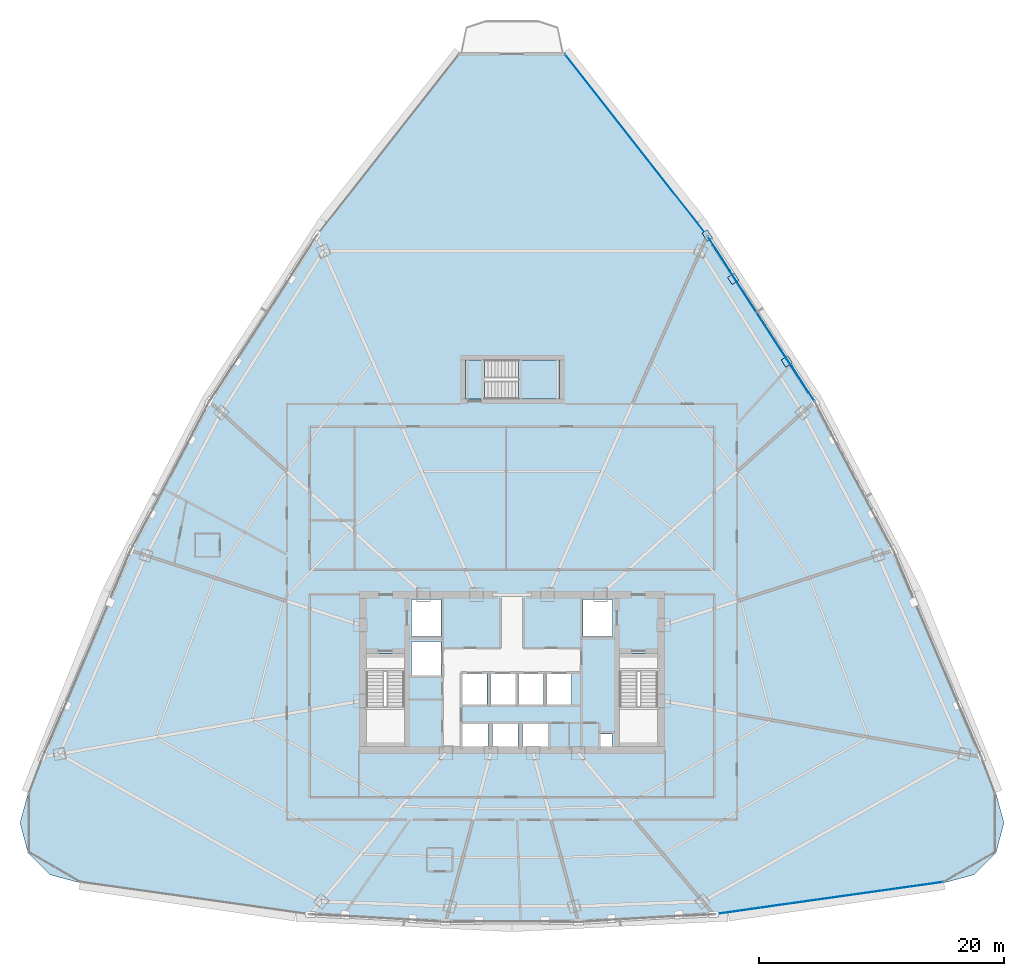
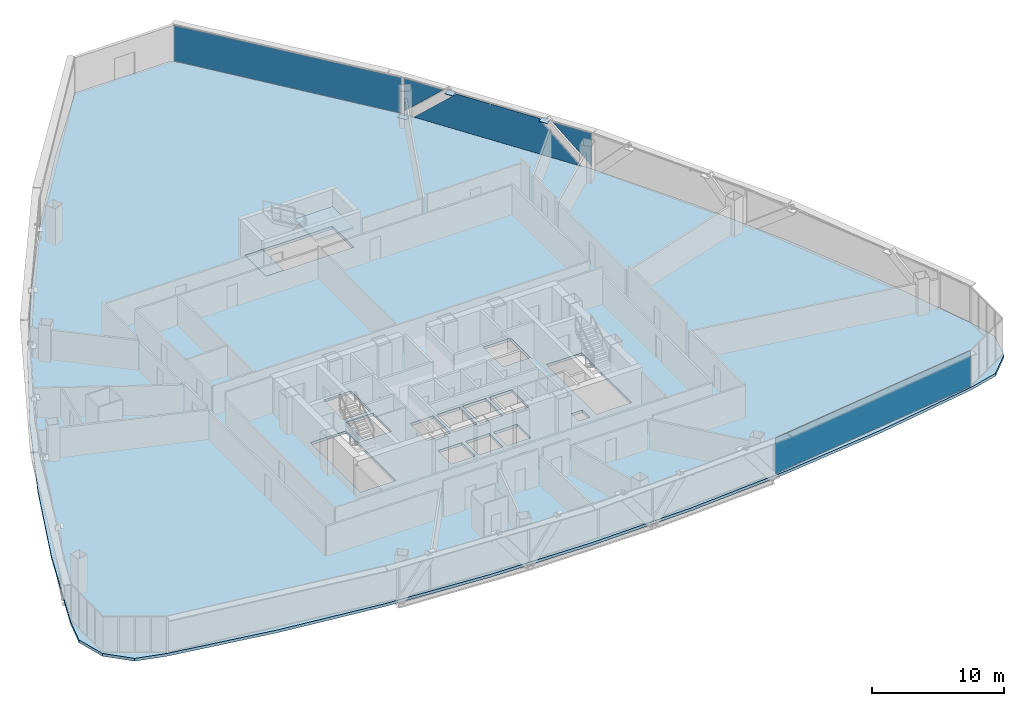
# One storey, part 31 of 40: 8 plates, 3 slabs, 4 elements without a shape of their own.
"""IFC4 building model written with IfcOpenShell, lengths in metres."""

from ifc_helpers import new_model, si_unit, direction, frame, origin, origin_2d, place, context, subcontext, project, spatial, polyline, rectangle, outline, extrude, source, transform, mapped, material, layer, layer_set, type_object, element, aggregate, save


model = new_model("IFC4")

# Units and contexts
model_context = context("Model", 3, precision=1e-05, world=origin(), true_north=direction((0.0, 1.0)))
body_context = subcontext(model_context, "Body", "Model", "MODEL_VIEW")
ifc_project = project(units=[si_unit("LENGTHUNIT", "METRE"), si_unit("AREAUNIT", "SQUARE_METRE"), si_unit("VOLUMEUNIT", "CUBIC_METRE"), si_unit("PLANEANGLEUNIT", "RADIAN"), si_unit("MASSUNIT", "GRAM", prefix="KILO"), si_unit("THERMODYNAMICTEMPERATUREUNIT", "KELVIN"), si_unit("POWERUNIT", "WATT")], contexts=[model_context])

# Site, building, storey
site_placement = place(None, origin())
site = spatial("IfcSite", under=ifc_project, at=site_placement, CompositionType="ELEMENT")
building_placement = place(site_placement, origin())
building = spatial("IfcBuilding", under=site, at=building_placement, Name="Yunzhuo Pagoda Commons", CompositionType="ELEMENT")
storey_placement = place(building_placement, frame((0.0, 0.0, 159.27001953125)))
storey = spatial("IfcBuildingStorey", under=building, at=storey_placement, Name="L40", CompositionType="ELEMENT", Elevation=159.27001953125)

# Curtain wall, plates
ifc_material_1 = material(Name="Anodized aluminium 6063-T6", Category="aluminium")
ifc_layer_1 = layer(ifc_material_1, 0.14990234375)
ifc_layer_set_1 = layer_set([ifc_layer_1], Name="Anodized aluminium 6063-T6")
curtain_wall_type = type_object("IfcCurtainWallType", Name="CW-MID Mid-Zone Ribbon Curtain Wall", PredefinedType="NOTDEFINED", material=ifc_layer_set_1)
curtain_wall_1_placement = place(storey_placement, origin())
curtain_wall_1 = element("IfcCurtainWall", 1, at=curtain_wall_1_placement, inside=storey, type_object=curtain_wall_type, Name="L40 curtain wall CW-L40-F2B4", PredefinedType="NOTDEFINED")
ifc_material_2 = material(Name="Tempered low-e double glazing", Category="glass")
ifc_layer_2 = layer(ifc_material_2, 0.028076171875)
ifc_layer_set_2 = layer_set([ifc_layer_2], Name="Tempered low-e double glazing")
plate_type_1 = type_object("IfcPlateType", Name="CW-MID-P Low-E Double Glazing 28", PredefinedType="CURTAIN_PANEL", material=ifc_layer_set_2)
plate_1_placement = place(storey_placement, frame((71.798828125, 57.44189453125, 1.836669921875), z_axis=(0.839392571637, 0.543525630197, 0.0), x_axis=(-0.543525630197, 0.839392571637, 0.0)))
plate_1 = element("IfcPlate", 2, at=plate_1_placement, type_object=plate_type_1, Name="CW panel 1.1 lite 1", PredefinedType="CURTAIN_PANEL", context=body_context, shape_type="SweptSolid", body=[
    extrude(outline(polyline([(-1.6787109375, -1.5283203125), (1.6787109375, 1.5283203125), (-1.6787109375, 1.5283203125), (-1.6787109375, -1.5283203125)])), origin(), (0.0, 0.0, 1.0), 0.028076171875),
])
plate_2_placement = place(storey_placement, frame((68.324462890625, 62.75244140625, 1.7099609375), z_axis=(0.839392571637, 0.543525630197, 0.0), x_axis=(-0.543525630197, 0.839392571637, 0.0)))
plate_2 = element("IfcPlate", 3, at=plate_2_placement, type_object=plate_type_1, Name="CW panel 1.1 lite 2", PredefinedType="CURTAIN_PANEL", context=body_context, shape_type="SweptSolid", body=[
    extrude(outline(polyline([(-7.17431640625, -1.655029296875), (7.17431640625, -1.655029296875), (3.538330078125, 1.655029296875), (-3.538330078125, 1.655029296875), (-7.17431640625, -1.655029296875)])), origin(), (0.0, 0.0, 1.0), 0.028076171875),
])
plate_3_placement = place(storey_placement, frame((64.900390625, 68.095458984375, 1.836669921875), z_axis=(0.839392571637, 0.543525630197, 0.0), x_axis=(-0.543525630197, 0.839392571637, 0.0)))
plate_3 = element("IfcPlate", 4, at=plate_3_placement, type_object=plate_type_1, Name="CW panel 1.1 lite 3", PredefinedType="CURTAIN_PANEL", context=body_context, shape_type="SweptSolid", body=[
    extrude(outline(polyline([(-1.6787109375, 1.5283203125), (1.6787109375, -1.5283203125), (1.6787109375, 1.5283203125), (-1.6787109375, 1.5283203125)])), origin(), (0.0, 0.0, 1.0), 0.028076171875),
])
aggregate(curtain_wall_1, [plate_1, plate_2, plate_3])

# Stair, slabs
ifc_material_3 = material(Name="Concrete C40", Category="concrete")
stair_type = type_object("IfcStairType", Name="ST-C3 North Tower Smokeproof Stair ST3", PredefinedType="HALF_TURN_STAIR", material=ifc_material_3)
stair_placement = place(storey_placement, origin())
stair = element("IfcStair", 5, at=stair_placement, inside=storey, type_object=stair_type, Name="L40 North tower smokeproof stair ST3", PredefinedType="HALF_TURN_STAIR")
ifc_layer_3 = layer(ifc_material_3, 0.2041015625)
ifc_layer_set_3 = layer_set([ifc_layer_3], Name="Concrete C40")
slab_type_1 = type_object("IfcSlabType", Name="SL-LND5 North Landing Slab 204", PredefinedType="LANDING", material=ifc_layer_set_3)
slab_1_placement = place(storey_placement, frame((0.0, 0.0, 1.639892578125)))
slab_1 = element("IfcSlab", 6, at=slab_1_placement, type_object=slab_type_1, Name="ST3 landing 1", PredefinedType="LANDING", context=body_context, shape_type="SweptSolid", body=[
    extrude(outline(polyline([(48.550048828125, 56.199951171875), (51.89990234375, 56.199951171875), (51.89990234375, 59.39990234375), (48.550048828125, 59.39990234375), (48.550048828125, 56.199951171875)])), origin(), (0.0, 0.0, 1.0), 0.2001953125),
])
slab_2_placement = place(storey_placement, frame((0.0, 0.0, -0.199951171875)))
slab_2 = element("IfcSlab", 7, at=slab_2_placement, type_object=slab_type_1, Name="ST3 floor landing L40", PredefinedType="LANDING", context=body_context, shape_type="SweptSolid", body=[
    extrude(outline(polyline([(44.199951171875, 56.199951171875), (45.75, 56.199951171875), (45.75, 59.39990234375), (44.199951171875, 59.39990234375), (44.199951171875, 56.199951171875)])), origin(), (0.0, 0.0, 1.0), 0.199951171875),
])
aggregate(stair, [slab_1, slab_2])

# Slab
ifc_layer_4 = layer(ifc_material_3, 0.260009765625)
ifc_layer_set_4 = layer_set([ifc_layer_4], Name="Concrete C40")
slab_type_2 = type_object("IfcSlabType", Name="SL-TWR Typical Tower Floor Slab 260", PredefinedType="FLOOR", material=ifc_layer_set_4)
slab_3_placement = place(storey_placement, frame((0.0, 0.0, -0.260009765625)))
element("IfcSlab", 8, at=slab_3_placement, inside=storey, type_object=slab_type_2, Name="L40 structural floor slab", PredefinedType="FLOOR", context=body_context, shape_type="SweptSolid", body=[
    extrude(outline(polyline([(11.558837890625, 32.330810546875), (15.0478515625, 40.43994140625), (18.908203125, 48.332275390625), (23.139892578125, 56.0078125), (27.742919921875, 63.466796875), (32.717041015625, 70.708984375), (38.0625, 77.734375), (43.779296875, 84.543212890625), (52.220703125, 84.543212890625), (57.9375, 77.734375), (63.282958984375, 70.708984375), (68.257080078125, 63.466796875), (72.860107421875, 56.0078125), (77.091796875, 48.332275390625), (80.9521484375, 40.43994140625), (84.441162109375, 32.330810546875), (87.55908203125, 24.005126953125), (88.2255859375, 21.55859375), (87.57666015625, 19.107666015625), (85.786865234375, 17.3115234375), (83.338134765625, 16.65380859375), (74.503662109375, 15.149169921875), (65.669189453125, 14.074462890625), (56.834716796875, 13.4296875), (48.0, 13.214599609375), (39.165283203125, 13.4296875), (30.330810546875, 14.074462890625), (21.496337890625, 15.149169921875), (12.661865234375, 16.65380859375), (10.213134765625, 17.3115234375), (8.42333984375, 19.107666015625), (7.7744140625, 21.55859375), (8.44091796875, 24.005126953125), (11.558837890625, 32.330810546875)]), holes=[polyline([(46.050048828125, 29.64990234375), (43.949951171875, 29.64990234375), (43.949951171875, 27.60009765625), (46.050048828125, 27.60009765625), (46.050048828125, 29.64990234375)]), polyline([(48.5, 27.60009765625), (48.5, 29.64990234375), (46.39990234375, 29.64990234375), (46.39990234375, 27.60009765625), (48.5, 27.60009765625)]), polyline([(36.10009765625, 27.800048828125), (39.199951171875, 27.800048828125), (39.199951171875, 35.39990234375), (36.10009765625, 35.39990234375), (36.10009765625, 27.800048828125)]), polyline([(45.969970703125, 31.199951171875), (45.969970703125, 33.800048828125), (43.929931640625, 33.800048828125), (43.929931640625, 31.199951171875), (45.969970703125, 31.199951171875)]), polyline([(48.27001953125, 31.199951171875), (48.27001953125, 33.800048828125), (46.22998046875, 33.800048828125), (46.22998046875, 31.199951171875), (48.27001953125, 31.199951171875)]), polyline([(42.199951171875, 33.60009765625), (42.199951171875, 36.39990234375), (39.800048828125, 36.39990234375), (39.800048828125, 33.60009765625), (42.199951171875, 33.60009765625)]), polyline([(42.199951171875, 36.800048828125), (42.199951171875, 39.800048828125), (39.800048828125, 39.800048828125), (39.800048828125, 36.800048828125), (42.199951171875, 36.800048828125)]), polyline([(56.179931640625, 28.800048828125), (55.179931640625, 28.800048828125), (55.179931640625, 27.699951171875), (56.179931640625, 27.699951171875), (56.179931640625, 28.800048828125)]), polyline([(50.949951171875, 27.60009765625), (50.949951171875, 29.64990234375), (48.85009765625, 29.64990234375), (48.85009765625, 27.60009765625), (50.949951171875, 27.60009765625)]), polyline([(56.800048828125, 27.800048828125), (59.89990234375, 27.800048828125), (59.89990234375, 35.39990234375), (56.800048828125, 35.39990234375), (56.800048828125, 27.800048828125)]), polyline([(50.570068359375, 31.199951171875), (50.570068359375, 33.800048828125), (48.530029296875, 33.800048828125), (48.530029296875, 31.199951171875), (50.570068359375, 31.199951171875)]), polyline([(52.8701171875, 31.199951171875), (52.8701171875, 33.800048828125), (50.830078125, 33.800048828125), (50.830078125, 31.199951171875), (52.8701171875, 31.199951171875)]), polyline([(56.199951171875, 36.800048828125), (56.199951171875, 39.800048828125), (53.800048828125, 39.800048828125), (53.800048828125, 36.800048828125), (56.199951171875, 36.800048828125)]), polyline([(51.89990234375, 56.199951171875), (51.89990234375, 59.39990234375), (44.199951171875, 59.39990234375), (44.199951171875, 56.199951171875), (51.89990234375, 56.199951171875)])]), origin(), (0.0, 0.0, 1.0), 0.260009765625),
])

# Plates
ifc_material_4 = material(Name="Structural steel Q355B", Category="steel")
ifc_layer_5 = layer(ifc_material_4, 0.028076171875)
ifc_layer_set_5 = layer_set([ifc_layer_5], Name="Structural steel Q355B")
plate_type_2 = type_object("IfcPlateType", Name="SP-ND1 Lattice Node Cap Plate 800x500x28", PredefinedType="USERDEFINED", material=ifc_layer_set_5)
shared_shape_1 = source(origin(), body_context, "Body", "SweptSolid", [
    extrude(rectangle(XDim=0.800048828125, YDim=0.5, at=origin_2d()), origin(), (0.0, 0.0, 1.0), 0.028076171875),
])
plate_4_placement = place(storey_placement, frame((63.967041015625, 69.5625, -0.27392578125), z_axis=(0.0, 0.0, 1.0), x_axis=(-0.543526101434, 0.8393922665, 0.0)))
element("IfcPlate", 9, at=plate_4_placement, inside=storey, type_object=plate_type_2, Name="L40 diamond node plate F2.3B", ObjectType="STIFFENER_PLATE", PredefinedType="USERDEFINED", context=body_context, shape_type="MappedRepresentation", body=[
    mapped(shared_shape_1, transform((0.0, 0.0, 0.0), scale=1.0)),
])
shared_shape_2 = source(origin(), body_context, "Body", "SweptSolid", [
    extrude(rectangle(XDim=0.699951171875, YDim=0.63818359375, at=origin_2d()), origin(), (0.0, 0.0, 1.0), 0.035888671875),
])
plate_5_placement = place(storey_placement, frame((70.46337890625, 59.27490234375, 3.3818359375), z_axis=(0.0, 0.0, 1.0), x_axis=(-0.543526101434, 0.8393922665, 0.0)))
element("IfcPlate", 10, at=plate_5_placement, inside=storey, type_object=plate_type_2, Name="L40 setback lattice tie plate F2.3L", ObjectType="STIFFENER_PLATE", PredefinedType="USERDEFINED", context=body_context, shape_type="MappedRepresentation", body=[
    mapped(shared_shape_2, transform((0.0, 0.0, 0.0), scale=1.0)),
])
shared_shape_3 = source(origin(), body_context, "Body", "SweptSolid", [
    extrude(rectangle(XDim=0.699951171875, YDim=0.662353515625, at=origin_2d()), origin(), (0.0, 0.0, 1.0), 0.035888671875),
])
plate_6_placement = place(storey_placement, frame((66.087890625, 66.033203125, 3.3818359375), z_axis=(0.0, 0.0, 1.0), x_axis=(-0.543526101434, 0.8393922665, 0.0)))
element("IfcPlate", 11, at=plate_6_placement, inside=storey, type_object=plate_type_2, Name="L40 setback lattice tie plate F2.3R", ObjectType="STIFFENER_PLATE", PredefinedType="USERDEFINED", context=body_context, shape_type="MappedRepresentation", body=[
    mapped(shared_shape_3, transform((0.0, 0.0, 0.0), scale=1.0)),
])

# Curtain wall, plate
curtain_wall_2_placement = place(storey_placement, origin())
curtain_wall_2 = element("IfcCurtainWall", 12, at=curtain_wall_2_placement, inside=storey, type_object=curtain_wall_type, Name="L40 curtain wall CW-L40-F1B5", PredefinedType="NOTDEFINED")
shared_shape_4 = source(origin(), body_context, "Body", "SweptSolid", [
    extrude(rectangle(XDim=18.81640625, YDim=0.028076171875, at=origin_2d()), origin(), (0.0, 0.0, 1.0), 3.31005859375),
])
plate_7_placement = place(storey_placement, frame((73.922607421875, 15.401123046875, 0.054931640625), z_axis=(0.0, 0.0, 1.0), x_axis=(0.990203780714, 0.13962976996, 0.0)))
plate_7 = element("IfcPlate", 13, at=plate_7_placement, type_object=plate_type_1, Name="CW panel 1.1", PredefinedType="CURTAIN_PANEL", context=body_context, shape_type="MappedRepresentation", body=[
    mapped(shared_shape_4, transform((0.0, 0.0, 0.0), scale=1.0)),
])
aggregate(curtain_wall_2, [plate_7])

curtain_wall_3_placement = place(storey_placement, origin())
curtain_wall_3 = element("IfcCurtainWall", 14, at=curtain_wall_3_placement, inside=storey, type_object=curtain_wall_type, Name="L40 curtain wall CW-L40-F2B5", PredefinedType="NOTDEFINED")
shared_shape_5 = source(origin(), body_context, "Body", "SweptSolid", [
    extrude(rectangle(XDim=18.6806640625, YDim=0.028076171875, at=origin_2d()), origin(), (0.0, 0.0, 1.0), 3.31005859375),
])
plate_8_placement = place(storey_placement, frame((58.1181640625, 77.017333984375, 0.054931640625), z_axis=(0.0, 0.0, 1.0), x_axis=(-0.61725996734, 0.786759259697, 0.0)))
plate_8 = element("IfcPlate", 15, at=plate_8_placement, type_object=plate_type_1, Name="CW panel 1.1", PredefinedType="CURTAIN_PANEL", context=body_context, shape_type="MappedRepresentation", body=[
    mapped(shared_shape_5, transform((0.0, 0.0, 0.0), scale=1.0)),
])
aggregate(curtain_wall_3, [plate_8])

save(model, "model.ifc")
